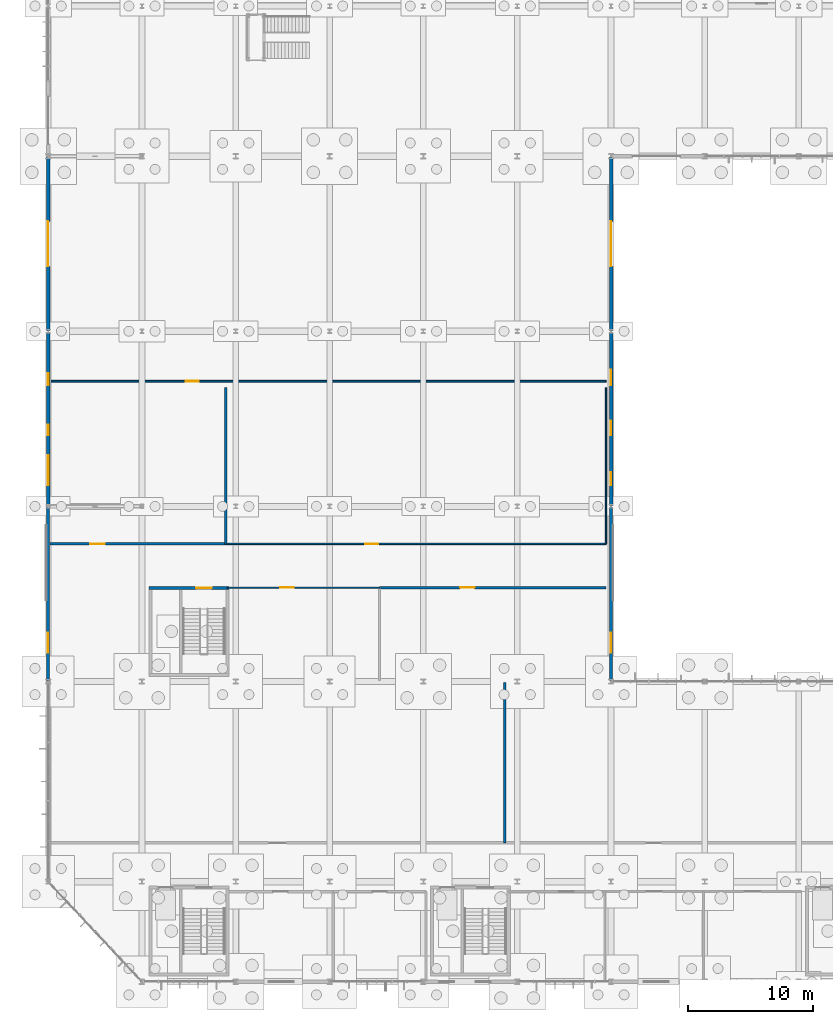
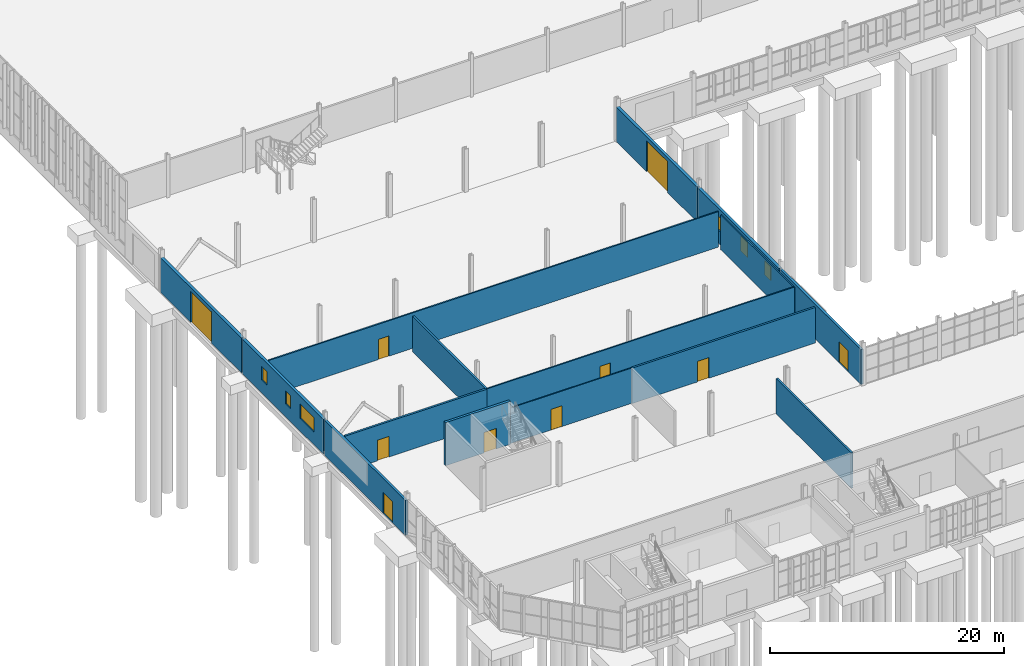
# One storey, part 107 of 136: 15 walls, 10 doors, 6 windows, 16 openings.
"""IFC4 building model written with IfcOpenShell, lengths in metres."""

from ifc_helpers import new_model, si_unit, direction, frame, frame_2d, origin, place, context, subcontext, project, spatial, rectangle, extrude, material, layer, layer_set, type_object, element, fill, save


model = new_model("IFC4")

# Units and contexts
model_context = context("Model", 3, precision=1e-05, world=origin(), true_north=direction((0.0, 1.0)))
body_context = subcontext(model_context, "Body", "Model", "MODEL_VIEW")
ifc_project = project(units=[si_unit("LENGTHUNIT", "METRE"), si_unit("AREAUNIT", "SQUARE_METRE"), si_unit("VOLUMEUNIT", "CUBIC_METRE"), si_unit("PLANEANGLEUNIT", "RADIAN"), si_unit("MASSUNIT", "GRAM", prefix="KILO")], contexts=[model_context])

# Site, building, storey
site_placement = place(None, origin())
site = spatial("IfcSite", under=ifc_project, at=site_placement, CompositionType="ELEMENT")
building_placement = place(site_placement, origin())
building = spatial("IfcBuilding", under=site, at=building_placement, Name="Solvenia Promenade Tram Depot", CompositionType="ELEMENT")
storey_placement = place(building_placement, origin())
storey = spatial("IfcBuildingStorey", under=building, at=storey_placement, Name="L00", CompositionType="ELEMENT", Elevation=0.0)

# Wall, opening, door
ifc_material_1 = material(Name="Concrete C28/35", Category="concrete")
ifc_layer_1 = layer(ifc_material_1, 0.25, Name="Concrete C28/35", Category="concrete")
ifc_layer_set_1 = layer_set([ifc_layer_1], Name="Concrete C28/35")
wall_type_1 = type_object("IfcWallType", Name="Wall-Core-250", PredefinedType="SHEAR", material=ifc_layer_set_1)
wall_1_placement = place(storey_placement, frame((8.050048828125, 31.47509765625, 0.0), z_axis=(0.0, 0.0, 1.0), x_axis=(1.0, 0.0, 0.0)))
wall_1 = element("IfcWall", 1, at=wall_1_placement, inside=storey, type_object=wall_type_1, Name="Core C7 Shear Wall WC-C7-L00-N", PredefinedType="SHEAR", context=body_context, shape_type="SweptSolid", body=[
    extrude(rectangle(XDim=6.39990234375, YDim=0.25, at=frame_2d((3.199951171875, 0.0))), origin(), (0.0, 0.0, 1.0), 4.5),
])
opening_1_placement = place(wall_1_placement, frame((3.77490234375, 0.0, 0.0)))
opening_1 = element("IfcOpeningElement", 2, at=opening_1_placement, cuts=wall_1, Name="Opening D-FD90", PredefinedType="OPENING", context=body_context, shape_type="SweptSolid", body=[
    extrude(rectangle(XDim=1.25, YDim=2.14990234375, at=frame_2d((0.625, 1.074951171875))), frame((0.0, 0.135009765625, 0.0), z_axis=(0.0, -1.0, 0.0), x_axis=(1.0, 0.0, 0.0)), (0.0, 0.0, 1.0), 0.27001953125),
])
ifc_material_2 = material(Name="Galvanized painted sheet steel", Category="steel")
door_type_1 = type_object("IfcDoorType", Name="Door-Stair-FD90", OperationType="NOTDEFINED", PredefinedType="DOOR", material=ifc_material_2)
door_1_placement = place(opening_1_placement, origin())
door_1 = element("IfcDoor", 3, at=door_1_placement, inside=storey, type_object=door_type_1, Name="Exit Stair Door C7 L00", OperationType="SINGLE_SWING_LEFT", OverallHeight=2.14990234375, OverallWidth=1.25, PredefinedType="DOOR", context=body_context, shape_type="SweptSolid", body=[
    extrude(rectangle(XDim=1.25, YDim=2.14990234375, at=frame_2d((0.625, 1.074951171875))), frame((0.0, 0.02490234375, 0.0), z_axis=(0.0, -1.0, 0.0), x_axis=(1.0, 0.0, 0.0)), (0.0, 0.0, 1.0), 0.050048828125),
])
fill(opening_1, door_1)

ifc_material_3 = material(Name="Concrete blockwork masonry", Category="masonry")
ifc_layer_2 = layer(ifc_material_3, 0.195068359375, Name="Concrete blockwork masonry", Category="masonry")
ifc_layer_set_2 = layer_set([ifc_layer_2], Name="Concrete blockwork masonry")
wall_type_2 = type_object("IfcWallType", Name="Wall-Fire-195", PredefinedType="PARTITIONING", material=ifc_layer_set_2)
wall_2_placement = place(storey_placement, frame((0.159912109375, 35.0, 0.0), z_axis=(0.0, 0.0, 1.0), x_axis=(1.0, 0.0, 0.0)))
wall_2 = element("IfcWall", 4, at=wall_2_placement, inside=storey, type_object=wall_type_2, Name="Sand Silo Store Partition WP-L00-022", PredefinedType="PARTITIONING", context=body_context, shape_type="SweptSolid", body=[
    extrude(rectangle(XDim=14.0400390625, YDim=0.195068359375, at=frame_2d((7.02001953125, 0.0))), origin(), (0.0, 0.0, 1.0), 3.699951171875),
])
opening_2_placement = place(wall_2_placement, frame((3.221923828125, 0.0, 0.0)))
opening_2 = element("IfcOpeningElement", 5, at=opening_2_placement, cuts=wall_2, Name="Opening D-FD60", PredefinedType="OPENING", context=body_context, shape_type="SweptSolid", body=[
    extrude(rectangle(XDim=1.14990234375, YDim=2.14990234375, at=frame_2d((0.574951171875, 1.074951171875))), frame((0.0, 0.107421875, 0.0), z_axis=(0.0, -1.0, 0.0), x_axis=(1.0, 0.0, 0.0)), (0.0, 0.0, 1.0), 0.215087890625),
])
door_type_2 = type_object("IfcDoorType", Name="Door-Fire-FD60", OperationType="NOTDEFINED", PredefinedType="DOOR", material=ifc_material_2)
door_2_placement = place(opening_2_placement, origin())
door_2 = element("IfcDoor", 6, at=door_2_placement, inside=storey, type_object=door_type_2, Name="Door to Sand Silo Store", OperationType="SINGLE_SWING_RIGHT", OverallHeight=2.14990234375, OverallWidth=1.14990234375, PredefinedType="DOOR", context=body_context, shape_type="SweptSolid", body=[
    extrude(rectangle(XDim=1.14990234375, YDim=2.14990234375, at=frame_2d((0.574951171875, 1.074951171875))), frame((0.0, 0.02490234375, 0.0), z_axis=(0.0, -1.0, 0.0), x_axis=(1.0, 0.0, 0.0)), (0.0, 0.0, 1.0), 0.050048828125),
])
fill(opening_2, door_2)

# Wall
wall_3_placement = place(storey_placement, frame((14.199951171875, 35.0, 0.0), z_axis=(0.0, 0.0, 1.0), x_axis=(0.0, 1.0, 0.0)))
element("IfcWall", 7, at=wall_3_placement, inside=storey, type_object=wall_type_2, Name="Sand Silo Store Dividing Wall WP-L00-023", PredefinedType="PARTITIONING", context=body_context, shape_type="SweptSolid", body=[
    extrude(rectangle(XDim=12.5, YDim=0.195068359375, at=frame_2d((6.25, 0.0))), origin(), (0.0, 0.0, 1.0), 3.699951171875),
])

# Wall, opening, door
wall_4_placement = place(storey_placement, frame((26.5, 31.5, 0.0), z_axis=(0.0, 0.0, 1.0), x_axis=(1.0, 0.0, 0.0)))
wall_4 = element("IfcWall", 8, at=wall_4_placement, inside=storey, type_object=wall_type_2, Name="Wash Booster Pump Room Partition WP-L00-026", PredefinedType="PARTITIONING", context=body_context, shape_type="SweptSolid", body=[
    extrude(rectangle(XDim=18.10009765625, YDim=0.195068359375, at=frame_2d((9.050048828125, 0.0))), origin(), (0.0, 0.0, 1.0), 3.699951171875),
])
opening_3_placement = place(wall_4_placement, frame((6.44091796875, 0.0, 0.0)))
opening_3 = element("IfcOpeningElement", 9, at=opening_3_placement, cuts=wall_4, Name="Opening D-FD60", PredefinedType="OPENING", context=body_context, shape_type="SweptSolid", body=[
    extrude(rectangle(XDim=1.14990234375, YDim=2.14990234375, at=frame_2d((0.574951171875, 1.074951171875))), frame((0.0, 0.107421875, 0.0), z_axis=(0.0, -1.0, 0.0), x_axis=(1.0, 0.0, 0.0)), (0.0, 0.0, 1.0), 0.215087890625),
])
door_3_placement = place(opening_3_placement, origin())
door_3 = element("IfcDoor", 10, at=door_3_placement, inside=storey, type_object=door_type_2, Name="Door to Wash Booster Pump Room", OperationType="SINGLE_SWING_RIGHT", OverallHeight=2.14990234375, OverallWidth=1.14990234375, PredefinedType="DOOR", context=body_context, shape_type="SweptSolid", body=[
    extrude(rectangle(XDim=1.14990234375, YDim=2.14990234375, at=frame_2d((0.574951171875, 1.074951171875))), frame((0.0, 0.02490234375, 0.0), z_axis=(0.0, -1.0, 0.0), x_axis=(1.0, 0.0, 0.0)), (0.0, 0.0, 1.0), 0.050048828125),
])
fill(opening_3, door_3)

# Walls
ifc_layer_3 = layer(ifc_material_3, 0.16796875, Name="Concrete blockwork masonry", Category="masonry")
ifc_layer_set_3 = layer_set([ifc_layer_3], Name="Concrete blockwork masonry")
wall_type_3 = type_object("IfcWallType", Name="Wall-Masonry-168", PredefinedType="PARTITIONING", material=ifc_layer_set_3)
wall_5_placement = place(storey_placement, frame((36.5, 11.10009765625, 0.0), z_axis=(0.0, 0.0, 1.0), x_axis=(0.0, 1.0, 0.0)))
element("IfcWall", 11, at=wall_5_placement, inside=storey, type_object=wall_type_3, Name="Driver Sign-On Hall Dividing Wall WP-L00-038", PredefinedType="PARTITIONING", context=body_context, shape_type="SweptSolid", body=[
    extrude(rectangle(XDim=12.81982421875, YDim=0.16796875, at=frame_2d((6.409912109375, 0.0))), origin(), (0.0, 0.0, 1.0), 3.699951171875),
])
ifc_material_4 = material(Name="Gypsum board acoustic partition", Category="other")
ifc_layer_4 = layer(ifc_material_4, 0.114013671875, Name="Gypsum board acoustic partition", Category="other")
ifc_layer_set_4 = layer_set([ifc_layer_4], Name="Gypsum board acoustic partition")
wall_type_4 = type_object("IfcWallType", Name="Wall-Part-114", PredefinedType="PARTITIONING", material=ifc_layer_set_4)
wall_6_placement = place(storey_placement, frame((44.60009765625, 35.0, 0.0), z_axis=(0.0, 0.0, 1.0), x_axis=(0.0, 1.0, 0.0)))
element("IfcWall", 12, at=wall_6_placement, inside=storey, type_object=wall_type_4, Name="Undercarriage Blow-Down Bay Dividing Wall WP-L00-021", PredefinedType="PARTITIONING", context=body_context, shape_type="SweptSolid", body=[
    extrude(rectangle(XDim=12.5, YDim=0.114013671875, at=frame_2d((6.25, 0.0))), origin(), (0.0, 0.0, 1.0), 3.633056640625),
])

# Wall, opening, door
ifc_layer_5 = layer(ifc_material_4, 0.1298828125, Name="Gypsum board acoustic partition", Category="other")
ifc_layer_set_5 = layer_set([ifc_layer_5], Name="Gypsum board acoustic partition")
wall_type_5 = type_object("IfcWallType", Name="Wall-Part-130", PredefinedType="PARTITIONING", material=ifc_layer_set_5)
wall_7_placement = place(storey_placement, frame((14.199951171875, 35.0, 0.0), z_axis=(0.0, 0.0, 1.0), x_axis=(1.0, 0.0, 0.0)))
wall_7 = element("IfcWall", 13, at=wall_7_placement, inside=storey, type_object=wall_type_5, Name="Undercarriage Blow-Down Bay Partition WP-L00-020", PredefinedType="PARTITIONING", context=body_context, shape_type="SweptSolid", body=[
    extrude(rectangle(XDim=30.400146484375, YDim=0.1298828125, at=frame_2d((15.2001953125, 0.0))), origin(), (0.0, 0.0, 1.0), 3.699951171875),
])
opening_4_placement = place(wall_7_placement, frame((11.156982421875, 0.0, 0.0)))
opening_4 = element("IfcOpeningElement", 14, at=opening_4_placement, cuts=wall_7, Name="Opening DR-13", PredefinedType="OPENING", context=body_context, shape_type="SweptSolid", body=[
    extrude(rectangle(XDim=1.0400390625, YDim=2.14990234375, at=frame_2d((0.52001953125, 1.074951171875))), frame((0.0, 0.074951171875, 0.0), z_axis=(0.0, -1.0, 0.0), x_axis=(1.0, 0.0, 0.0)), (0.0, 0.0, 1.0), 0.14990234375),
])
door_type_3 = type_object("IfcDoorType", Name="Door-Room-1040x2150", OperationType="NOTDEFINED", PredefinedType="DOOR", material=ifc_material_2)
door_4_placement = place(opening_4_placement, origin())
door_4 = element("IfcDoor", 15, at=door_4_placement, inside=storey, type_object=door_type_3, Name="Door to Undercarriage Blow-Down Bay", OperationType="SINGLE_SWING_LEFT", OverallHeight=2.14990234375, OverallWidth=1.0400390625, PredefinedType="DOOR", context=body_context, shape_type="SweptSolid", body=[
    extrude(rectangle(XDim=1.0400390625, YDim=2.14990234375, at=frame_2d((0.52001953125, 1.074951171875))), frame((0.0, 0.02490234375, 0.0), z_axis=(0.0, -1.0, 0.0), x_axis=(1.0, 0.0, 0.0)), (0.0, 0.0, 1.0), 0.050048828125),
])
fill(opening_4, door_4)

ifc_layer_6 = layer(ifc_material_4, 0.137939453125, Name="Gypsum board acoustic partition", Category="other")
ifc_layer_set_6 = layer_set([ifc_layer_6], Name="Gypsum board acoustic partition")
wall_type_6 = type_object("IfcWallType", Name="Wall-Part-138", PredefinedType="PARTITIONING", material=ifc_layer_set_6)
wall_8_placement = place(storey_placement, frame((0.159912109375, 48.0, 0.0), z_axis=(0.0, 0.0, 1.0), x_axis=(1.0, 0.0, 0.0)))
wall_8 = element("IfcWall", 16, at=wall_8_placement, inside=storey, type_object=wall_type_6, Name="Washing Plant Partition WP-L00-019", PredefinedType="PARTITIONING", context=body_context, shape_type="SweptSolid", body=[
    extrude(rectangle(XDim=44.440185546875, YDim=0.137939453125, at=frame_2d((22.22021484375, 0.0))), origin(), (0.0, 0.0, 1.0), 3.699951171875),
])
opening_5_placement = place(wall_8_placement, frame((10.85498046875, 0.0, 0.0)))
opening_5 = element("IfcOpeningElement", 17, at=opening_5_placement, cuts=wall_8, Name="Opening DR-12", PredefinedType="OPENING", context=body_context, shape_type="SweptSolid", body=[
    extrude(rectangle(XDim=1.02001953125, YDim=2.1201171875, at=frame_2d((0.510009765625, 1.06005859375))), frame((0.0, 0.078857421875, 0.0), z_axis=(0.0, -1.0, 0.0), x_axis=(1.0, 0.0, 0.0)), (0.0, 0.0, 1.0), 0.157958984375),
])
door_type_4 = type_object("IfcDoorType", Name="Door-Room-1020x2120", OperationType="NOTDEFINED", PredefinedType="DOOR", material=ifc_material_2)
door_5_placement = place(opening_5_placement, origin())
door_5 = element("IfcDoor", 18, at=door_5_placement, inside=storey, type_object=door_type_4, Name="Door to Washing Plant", OperationType="SINGLE_SWING_RIGHT", OverallHeight=2.1201171875, OverallWidth=1.02001953125, PredefinedType="DOOR", context=body_context, shape_type="SweptSolid", body=[
    extrude(rectangle(XDim=1.02001953125, YDim=2.1201171875, at=frame_2d((0.510009765625, 1.06005859375))), frame((0.0, 0.02490234375, 0.0), z_axis=(0.0, -1.0, 0.0), x_axis=(1.0, 0.0, 0.0)), (0.0, 0.0, 1.0), 0.050048828125),
])
fill(opening_5, door_5)

ifc_layer_7 = layer(ifc_material_4, 0.097900390625, Name="Gypsum board acoustic partition", Category="other")
ifc_layer_set_7 = layer_set([ifc_layer_7], Name="Gypsum board acoustic partition")
wall_type_7 = type_object("IfcWallType", Name="Wall-Part-98", PredefinedType="PARTITIONING", material=ifc_layer_set_7)
wall_9_placement = place(storey_placement, frame((14.324951171875, 31.5, 0.0), z_axis=(0.0, 0.0, 1.0), x_axis=(1.0, 0.0, 0.0)))
wall_9 = element("IfcWall", 19, at=wall_9_placement, inside=storey, type_object=wall_type_7, Name="Wash Plant Accessible WC Partition WP-L00-024", PredefinedType="PARTITIONING", context=body_context, shape_type="SweptSolid", body=[
    extrude(rectangle(XDim=12.175048828125, YDim=0.097900390625, at=frame_2d((6.08740234375, 0.0))), origin(), (0.0, 0.0, 1.0), 3.699951171875),
])
opening_6_placement = place(wall_9_placement, frame((4.216064453125, 0.0, 0.0)))
opening_6 = element("IfcOpeningElement", 20, at=opening_6_placement, cuts=wall_9, Name="Opening DR-15", PredefinedType="OPENING", context=body_context, shape_type="SweptSolid", body=[
    extrude(rectangle(XDim=1.080078125, YDim=2.159912109375, at=frame_2d((0.5400390625, 1.080078125))), frame((0.0, 0.058837890625, 0.0), z_axis=(0.0, -1.0, 0.0), x_axis=(1.0, 0.0, 0.0)), (0.0, 0.0, 1.0), 0.117919921875),
])
door_type_5 = type_object("IfcDoorType", Name="Door-Room-1080x2160", OperationType="NOTDEFINED", PredefinedType="DOOR", material=ifc_material_2)
door_6_placement = place(opening_6_placement, origin())
door_6 = element("IfcDoor", 21, at=door_6_placement, inside=storey, type_object=door_type_5, Name="Door to Wash Plant Accessible WC", OperationType="SINGLE_SWING_LEFT", OverallHeight=2.159912109375, OverallWidth=1.080078125, PredefinedType="DOOR", context=body_context, shape_type="SweptSolid", body=[
    extrude(rectangle(XDim=1.080078125, YDim=2.159912109375, at=frame_2d((0.5400390625, 1.080078125))), frame((0.0, 0.02490234375, 0.0), z_axis=(0.0, -1.0, 0.0), x_axis=(1.0, 0.0, 0.0)), (0.0, 0.0, 1.0), 0.050048828125),
])
fill(opening_6, door_6)

# Wall, openings, windows
ifc_material_5 = material(Name="Concrete C35/45", Category="concrete")
ifc_layer_8 = layer(ifc_material_5, 0.280029296875, Name="Concrete C35/45", Category="concrete")
ifc_layer_set_8 = layer_set([ifc_layer_8], Name="Concrete C35/45")
wall_type_8 = type_object("IfcWallType", Name="Wall-Portal-280", PredefinedType="SOLIDWALL", material=ifc_layer_set_8)
wall_10_placement = place(storey_placement, frame((0.0, 38.080078125, 0.0), z_axis=(0.0, 0.0, 1.0), x_axis=(0.0, 1.0, 0.0)))
wall_10 = element("IfcWall", 22, at=wall_10_placement, inside=storey, type_object=wall_type_8, Name="Wash Blow-Down W Wall EW-L00-069", PredefinedType="SOLIDWALL", context=body_context, shape_type="SweptSolid", body=[
    extrude(rectangle(XDim=13.83984375, YDim=0.280029296875, at=frame_2d((6.919921875, 0.0))), origin(), (0.0, 0.0, 1.0), 3.633056640625),
])
opening_7_placement = place(wall_10_placement, frame((1.60009765625, 0.0, 1.35009765625)))
opening_7 = element("IfcOpeningElement", 23, at=opening_7_placement, cuts=wall_10, Name="Opening WN-32", PredefinedType="OPENING", context=body_context, shape_type="SweptSolid", body=[
    extrude(rectangle(XDim=2.39990234375, YDim=1.5, at=frame_2d((1.199951171875, 0.75))), frame((0.0, 0.14990234375, 0.0), z_axis=(0.0, -1.0, 0.0), x_axis=(1.0, 0.0, 0.0)), (0.0, 0.0, 1.0), 0.300048828125),
])
opening_8_placement = place(wall_10_placement, frame((5.60009765625, 0.0, 1.35009765625)))
opening_8 = element("IfcOpeningElement", 24, at=opening_8_placement, cuts=wall_10, Name="Opening WN-33", PredefinedType="OPENING", context=body_context, shape_type="SweptSolid", body=[
    extrude(rectangle(XDim=0.85009765625, YDim=1.35009765625, at=frame_2d((0.425048828125, 0.675048828125))), frame((0.0, 0.14990234375, 0.0), z_axis=(0.0, -1.0, 0.0), x_axis=(1.0, 0.0, 0.0)), (0.0, 0.0, 1.0), 0.300048828125),
])
opening_9_placement = place(wall_10_placement, frame((9.60009765625, 0.0, 1.35009765625)))
opening_9 = element("IfcOpeningElement", 25, at=opening_9_placement, cuts=wall_10, Name="Opening WN-34", PredefinedType="OPENING", context=body_context, shape_type="SweptSolid", body=[
    extrude(rectangle(XDim=0.949951171875, YDim=1.39990234375, at=frame_2d((0.47509765625, 0.699951171875))), frame((0.0, 0.14990234375, 0.0), z_axis=(0.0, -1.0, 0.0), x_axis=(1.0, 0.0, 0.0)), (0.0, 0.0, 1.0), 0.300048828125),
])
ifc_material_6 = material(Name="Double low-e argon insulated glass", Category="glass")
window_type_1 = type_object("IfcWindowType", Name="Win-2700x1500", PartitioningType="DOUBLE_PANEL_VERTICAL", PredefinedType="WINDOW", material=ifc_material_6)
window_1_placement = place(opening_7_placement, origin())
window_1 = element("IfcWindow", 26, at=window_1_placement, inside=storey, type_object=window_type_1, Name="Blow-Down Clerestory Window 032", OverallHeight=1.5, OverallWidth=2.39990234375, PartitioningType="SINGLE_PANEL", PredefinedType="WINDOW", context=body_context, shape_type="SweptSolid", body=[
    extrude(rectangle(XDim=2.39990234375, YDim=1.5, at=frame_2d((1.199951171875, 0.75))), frame((0.0, 0.030029296875, 0.0), z_axis=(0.0, -1.0, 0.0), x_axis=(1.0, 0.0, 0.0)), (0.0, 0.0, 1.0), 0.06005859375),
])
fill(opening_7, window_1)
window_type_2 = type_object("IfcWindowType", Name="Win-850x1350", PartitioningType="SINGLE_PANEL", PredefinedType="WINDOW", material=ifc_material_6)
window_2_placement = place(opening_8_placement, origin())
window_2 = element("IfcWindow", 27, at=window_2_placement, inside=storey, type_object=window_type_2, Name="Blow-Down Clerestory Window 033", OverallHeight=1.35009765625, OverallWidth=0.85009765625, PartitioningType="SINGLE_PANEL", PredefinedType="WINDOW", context=body_context, shape_type="SweptSolid", body=[
    extrude(rectangle(XDim=0.85009765625, YDim=1.35009765625, at=frame_2d((0.425048828125, 0.675048828125))), frame((0.0, 0.030029296875, 0.0), z_axis=(0.0, -1.0, 0.0), x_axis=(1.0, 0.0, 0.0)), (0.0, 0.0, 1.0), 0.06005859375),
])
fill(opening_8, window_2)
window_type_3 = type_object("IfcWindowType", Name="Win-950x1400", PartitioningType="SINGLE_PANEL", PredefinedType="WINDOW", material=ifc_material_6)
window_3_placement = place(opening_9_placement, origin())
window_3 = element("IfcWindow", 28, at=window_3_placement, inside=storey, type_object=window_type_3, Name="Blow-Down Clerestory Window 034", OverallHeight=1.39990234375, OverallWidth=0.949951171875, PartitioningType="SINGLE_PANEL", PredefinedType="WINDOW", context=body_context, shape_type="SweptSolid", body=[
    extrude(rectangle(XDim=0.949951171875, YDim=1.39990234375, at=frame_2d((0.47509765625, 0.699951171875))), frame((0.0, 0.030029296875, 0.0), z_axis=(0.0, -1.0, 0.0), x_axis=(1.0, 0.0, 0.0)), (0.0, 0.0, 1.0), 0.06005859375),
])
fill(opening_9, window_3)

# Wall, opening, door
wall_11_placement = place(storey_placement, frame((0.0, 52.080078125, 0.0), z_axis=(0.0, 0.0, 1.0), x_axis=(0.0, 1.0, 0.0)))
wall_11 = element("IfcWall", 29, at=wall_11_placement, inside=storey, type_object=wall_type_8, Name="Wash Hall W Portal Wall EW-L00-070", PredefinedType="SOLIDWALL", context=body_context, shape_type="SweptSolid", body=[
    extrude(rectangle(XDim=13.83984375, YDim=0.280029296875, at=frame_2d((6.919921875, 0.0))), origin(), (0.0, 0.0, 1.0), 3.633056640625),
])
opening_10_placement = place(wall_11_placement, frame((5.10009765625, 0.0, 0.0)))
opening_10 = element("IfcOpeningElement", 30, at=opening_10_placement, cuts=wall_11, Name="Opening GT-WW", PredefinedType="OPENING", context=body_context, shape_type="SweptSolid", body=[
    extrude(rectangle(XDim=3.60009765625, YDim=3.25, at=frame_2d((1.800048828125, 1.625))), frame((0.0, 0.14990234375, 0.0), z_axis=(0.0, -1.0, 0.0), x_axis=(1.0, 0.0, 0.0)), (0.0, 0.0, 1.0), 0.300048828125),
])
door_type_6 = type_object("IfcDoorType", Name="Gate-Wash-3600x3600", OperationType="NOTDEFINED", PredefinedType="GATE", material=ifc_material_2)
door_7_placement = place(opening_10_placement, origin())
door_7 = element("IfcDoor", 31, at=door_7_placement, inside=storey, type_object=door_type_6, Name="Automatic Tram Wash W Shutter Gate", OperationType="ROLLINGUP", OverallHeight=3.25, OverallWidth=3.60009765625, PredefinedType="GATE", context=body_context, shape_type="SweptSolid", body=[
    extrude(rectangle(XDim=3.60009765625, YDim=3.25, at=frame_2d((1.800048828125, 1.625))), frame((0.0, 0.02490234375, 0.0), z_axis=(0.0, -1.0, 0.0), x_axis=(1.0, 0.0, 0.0)), (0.0, 0.0, 1.0), 0.050048828125),
])
fill(opening_10, door_7)

# Wall, openings, windows
wall_12_placement = place(storey_placement, frame((45.0, 38.080078125, 0.0), z_axis=(0.0, 0.0, 1.0), x_axis=(0.0, 1.0, 0.0)))
wall_12 = element("IfcWall", 32, at=wall_12_placement, inside=storey, type_object=wall_type_8, Name="Wash Blow-Down E Wall EW-L00-072", PredefinedType="SOLIDWALL", context=body_context, shape_type="SweptSolid", body=[
    extrude(rectangle(XDim=13.83984375, YDim=0.280029296875, at=frame_2d((6.919921875, 0.0))), origin(), (0.0, 0.0, 1.0), 3.633056640625),
])
opening_11_placement = place(wall_12_placement, frame((1.60009765625, 0.0, 1.35009765625)))
opening_11 = element("IfcOpeningElement", 33, at=opening_11_placement, cuts=wall_12, Name="Opening WN-35", PredefinedType="OPENING", context=body_context, shape_type="SweptSolid", body=[
    extrude(rectangle(XDim=1.050048828125, YDim=1.449951171875, at=frame_2d((0.52490234375, 0.72509765625))), frame((0.0, 0.14990234375, 0.0), z_axis=(0.0, -1.0, 0.0), x_axis=(1.0, 0.0, 0.0)), (0.0, 0.0, 1.0), 0.300048828125),
])
opening_12_placement = place(wall_12_placement, frame((5.60009765625, 0.0, 1.35009765625)))
opening_12 = element("IfcOpeningElement", 34, at=opening_12_placement, cuts=wall_12, Name="Opening WN-36", PredefinedType="OPENING", context=body_context, shape_type="SweptSolid", body=[
    extrude(rectangle(XDim=1.14990234375, YDim=1.550048828125, at=frame_2d((0.574951171875, 0.77490234375))), frame((0.0, 0.14990234375, 0.0), z_axis=(0.0, -1.0, 0.0), x_axis=(1.0, 0.0, 0.0)), (0.0, 0.0, 1.0), 0.300048828125),
])
opening_13_placement = place(wall_12_placement, frame((9.60009765625, 0.0, 1.35009765625)))
opening_13 = element("IfcOpeningElement", 35, at=opening_13_placement, cuts=wall_12, Name="Opening WN-37", PredefinedType="OPENING", context=body_context, shape_type="SweptSolid", body=[
    extrude(rectangle(XDim=1.25, YDim=1.449951171875, at=frame_2d((0.625, 0.72509765625))), frame((0.0, 0.14990234375, 0.0), z_axis=(0.0, -1.0, 0.0), x_axis=(1.0, 0.0, 0.0)), (0.0, 0.0, 1.0), 0.300048828125),
])
window_type_4 = type_object("IfcWindowType", Name="Win-1050x1450", PartitioningType="SINGLE_PANEL", PredefinedType="WINDOW", material=ifc_material_6)
window_4_placement = place(opening_11_placement, origin())
window_4 = element("IfcWindow", 36, at=window_4_placement, inside=storey, type_object=window_type_4, Name="Blow-Down Clerestory Window 035", OverallHeight=1.449951171875, OverallWidth=1.050048828125, PartitioningType="SINGLE_PANEL", PredefinedType="WINDOW", context=body_context, shape_type="SweptSolid", body=[
    extrude(rectangle(XDim=1.050048828125, YDim=1.449951171875, at=frame_2d((0.52490234375, 0.72509765625))), frame((0.0, 0.030029296875, 0.0), z_axis=(0.0, -1.0, 0.0), x_axis=(1.0, 0.0, 0.0)), (0.0, 0.0, 1.0), 0.06005859375),
])
fill(opening_11, window_4)
window_type_5 = type_object("IfcWindowType", Name="Win-1150x1550", PartitioningType="SINGLE_PANEL", PredefinedType="WINDOW", material=ifc_material_6)
window_5_placement = place(opening_12_placement, origin())
window_5 = element("IfcWindow", 37, at=window_5_placement, inside=storey, type_object=window_type_5, Name="Blow-Down Clerestory Window 036", OverallHeight=1.550048828125, OverallWidth=1.14990234375, PartitioningType="SINGLE_PANEL", PredefinedType="WINDOW", context=body_context, shape_type="SweptSolid", body=[
    extrude(rectangle(XDim=1.14990234375, YDim=1.550048828125, at=frame_2d((0.574951171875, 0.77490234375))), frame((0.0, 0.030029296875, 0.0), z_axis=(0.0, -1.0, 0.0), x_axis=(1.0, 0.0, 0.0)), (0.0, 0.0, 1.0), 0.06005859375),
])
fill(opening_12, window_5)
window_type_6 = type_object("IfcWindowType", Name="Win-1250x1450", PartitioningType="SINGLE_PANEL", PredefinedType="WINDOW", material=ifc_material_6)
window_6_placement = place(opening_13_placement, origin())
window_6 = element("IfcWindow", 38, at=window_6_placement, inside=storey, type_object=window_type_6, Name="Blow-Down Clerestory Window 037", OverallHeight=1.449951171875, OverallWidth=1.25, PartitioningType="SINGLE_PANEL", PredefinedType="WINDOW", context=body_context, shape_type="SweptSolid", body=[
    extrude(rectangle(XDim=1.25, YDim=1.449951171875, at=frame_2d((0.625, 0.72509765625))), frame((0.0, 0.030029296875, 0.0), z_axis=(0.0, -1.0, 0.0), x_axis=(1.0, 0.0, 0.0)), (0.0, 0.0, 1.0), 0.06005859375),
])
fill(opening_13, window_6)

# Wall, opening, door
wall_13_placement = place(storey_placement, frame((45.0, 52.080078125, 0.0), z_axis=(0.0, 0.0, 1.0), x_axis=(0.0, 1.0, 0.0)))
wall_13 = element("IfcWall", 39, at=wall_13_placement, inside=storey, type_object=wall_type_8, Name="Wash Hall E Portal Wall EW-L00-073", PredefinedType="SOLIDWALL", context=body_context, shape_type="SweptSolid", body=[
    extrude(rectangle(XDim=13.83984375, YDim=0.280029296875, at=frame_2d((6.919921875, 0.0))), origin(), (0.0, 0.0, 1.0), 3.633056640625),
])
opening_14_placement = place(wall_13_placement, frame((5.10009765625, 0.0, 0.0)))
opening_14 = element("IfcOpeningElement", 40, at=opening_14_placement, cuts=wall_13, Name="Opening GT-WE", PredefinedType="OPENING", context=body_context, shape_type="SweptSolid", body=[
    extrude(rectangle(XDim=3.60009765625, YDim=3.25, at=frame_2d((1.800048828125, 1.625))), frame((0.0, 0.14990234375, 0.0), z_axis=(0.0, -1.0, 0.0), x_axis=(1.0, 0.0, 0.0)), (0.0, 0.0, 1.0), 0.300048828125),
])
door_8_placement = place(opening_14_placement, origin())
door_8 = element("IfcDoor", 41, at=door_8_placement, inside=storey, type_object=door_type_6, Name="Automatic Tram Wash E Shutter Gate", OperationType="ROLLINGUP", OverallHeight=3.25, OverallWidth=3.60009765625, PredefinedType="GATE", context=body_context, shape_type="SweptSolid", body=[
    extrude(rectangle(XDim=3.60009765625, YDim=3.25, at=frame_2d((1.800048828125, 1.625))), frame((0.0, 0.02490234375, 0.0), z_axis=(0.0, -1.0, 0.0), x_axis=(1.0, 0.0, 0.0)), (0.0, 0.0, 1.0), 0.050048828125),
])
fill(opening_14, door_8)

ifc_layer_9 = layer(ifc_material_5, 0.239990234375, Name="Concrete C35/45", Category="concrete")
ifc_layer_set_9 = layer_set([ifc_layer_9], Name="Concrete C35/45")
wall_type_9 = type_object("IfcWallType", Name="Wall-Spandrel-240", PredefinedType="SOLIDWALL", material=ifc_layer_set_9)
wall_14_placement = place(storey_placement, frame((0.0, 24.080078125, 0.0), z_axis=(0.0, 0.0, 1.0), x_axis=(0.0, 1.0, 0.0)))
wall_14 = element("IfcWall", 42, at=wall_14_placement, inside=storey, type_object=wall_type_9, Name="Wash Wing W Wall EW-L00-071", PredefinedType="SOLIDWALL", context=body_context, shape_type="SweptSolid", body=[
    extrude(rectangle(XDim=13.83984375, YDim=0.239990234375, at=frame_2d((6.919921875, 0.0))), origin(), (0.0, 0.0, 1.0), 3.633056640625),
])
opening_15_placement = place(wall_14_placement, frame((2.199951171875, 0.0, 0.0)))
opening_15 = element("IfcOpeningElement", 43, at=opening_15_placement, cuts=wall_14, Name="Opening ED-05", PredefinedType="OPENING", context=body_context, shape_type="SweptSolid", body=[
    extrude(rectangle(XDim=1.60009765625, YDim=2.199951171875, at=frame_2d((0.800048828125, 1.10009765625))), frame((0.0, 0.1298828125, 0.0), z_axis=(0.0, -1.0, 0.0), x_axis=(1.0, 0.0, 0.0)), (0.0, 0.0, 1.0), 0.260009765625),
])
door_type_7 = type_object("IfcDoorType", Name="Door-Exit-1600x2200", OperationType="NOTDEFINED", PredefinedType="DOOR", material=ifc_material_2)
door_9_placement = place(opening_15_placement, origin())
door_9 = element("IfcDoor", 44, at=door_9_placement, inside=storey, type_object=door_type_7, Name="Pedestrian Exit Door ED-05", OperationType="SINGLE_SWING_LEFT", OverallHeight=2.199951171875, OverallWidth=1.60009765625, PredefinedType="DOOR", context=body_context, shape_type="SweptSolid", body=[
    extrude(rectangle(XDim=1.60009765625, YDim=2.199951171875, at=frame_2d((0.800048828125, 1.10009765625))), frame((0.0, 0.02490234375, 0.0), z_axis=(0.0, -1.0, 0.0), x_axis=(1.0, 0.0, 0.0)), (0.0, 0.0, 1.0), 0.050048828125),
])
fill(opening_15, door_9)

wall_15_placement = place(storey_placement, frame((45.0, 24.080078125, 0.0), z_axis=(0.0, 0.0, 1.0), x_axis=(0.0, 1.0, 0.0)))
wall_15 = element("IfcWall", 45, at=wall_15_placement, inside=storey, type_object=wall_type_9, Name="Wash Wing E Wall EW-L00-074", PredefinedType="SOLIDWALL", context=body_context, shape_type="SweptSolid", body=[
    extrude(rectangle(XDim=13.83984375, YDim=0.239990234375, at=frame_2d((6.919921875, 0.0))), origin(), (0.0, 0.0, 1.0), 3.633056640625),
])
opening_16_placement = place(wall_15_placement, frame((2.199951171875, 0.0, 0.0)))
opening_16 = element("IfcOpeningElement", 46, at=opening_16_placement, cuts=wall_15, Name="Opening ED-06", PredefinedType="OPENING", context=body_context, shape_type="SweptSolid", body=[
    extrude(rectangle(XDim=1.60009765625, YDim=2.199951171875, at=frame_2d((0.800048828125, 1.10009765625))), frame((0.0, 0.1298828125, 0.0), z_axis=(0.0, -1.0, 0.0), x_axis=(1.0, 0.0, 0.0)), (0.0, 0.0, 1.0), 0.260009765625),
])
door_10_placement = place(opening_16_placement, frame((1.60009765625, 0.0, 0.0), z_axis=(0.0, 0.0, 1.0), x_axis=(-1.0, 0.0, 0.0)))
door_10 = element("IfcDoor", 47, at=door_10_placement, inside=storey, type_object=door_type_7, Name="Pedestrian Exit Door ED-06", OperationType="SINGLE_SWING_RIGHT", OverallHeight=2.199951171875, OverallWidth=1.60009765625, PredefinedType="DOOR", context=body_context, shape_type="SweptSolid", body=[
    extrude(rectangle(XDim=1.60009765625, YDim=2.199951171875, at=frame_2d((0.800048828125, 1.10009765625))), frame((0.0, 0.02490234375, 0.0), z_axis=(0.0, -1.0, 0.0), x_axis=(1.0, 0.0, 0.0)), (0.0, 0.0, 1.0), 0.050048828125),
])
fill(opening_16, door_10)

save(model, "model.ifc")
